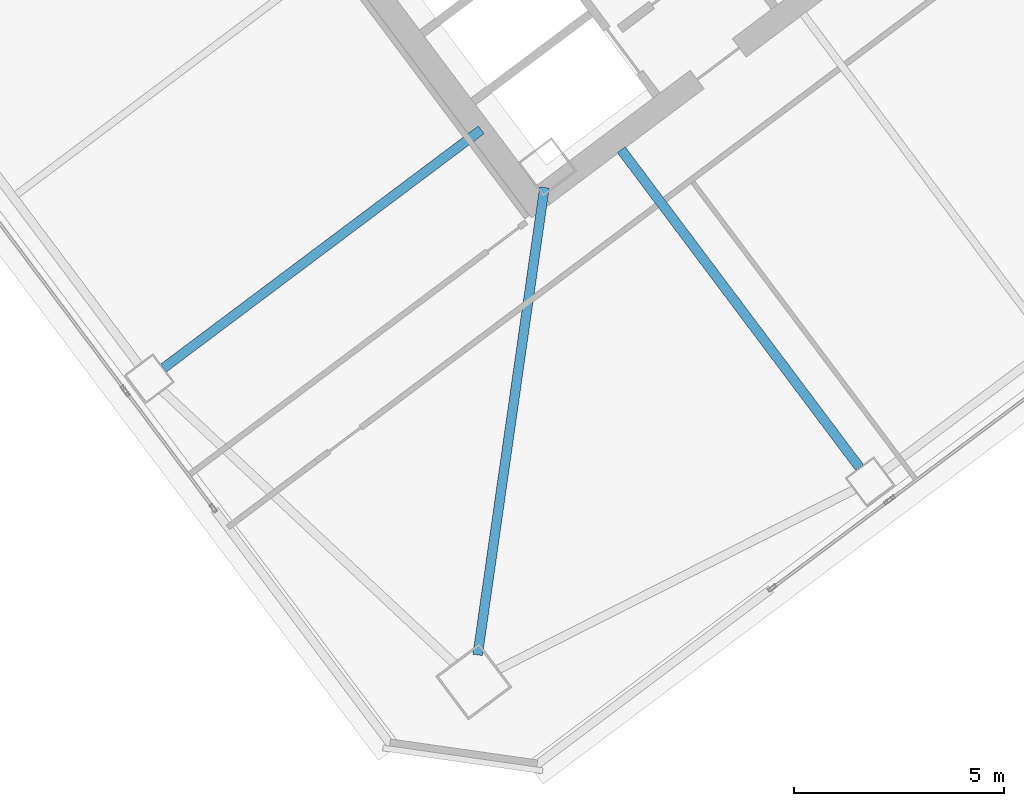
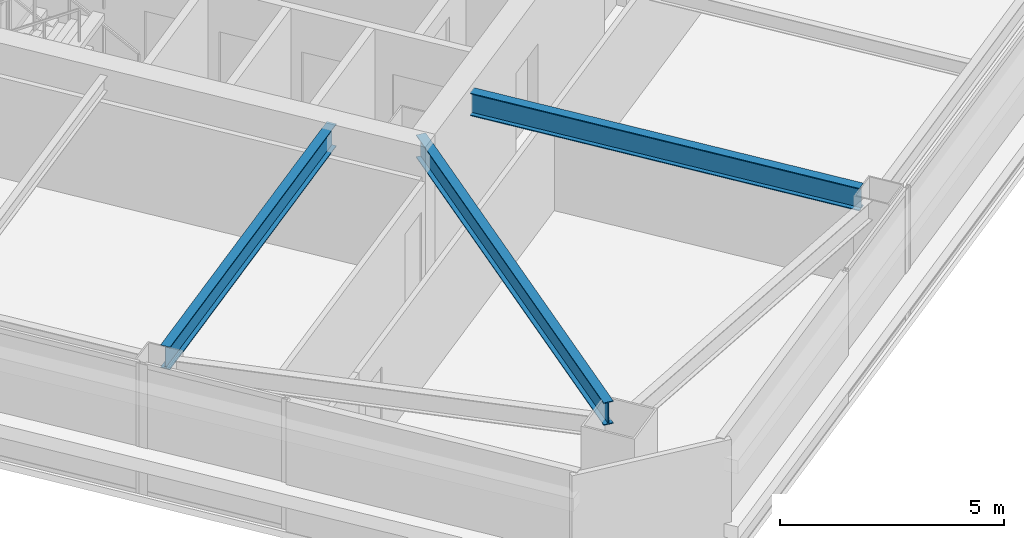
# One storey, part 19 of 41: 3 beams.
"""IFC4 building model written with IfcOpenShell, lengths in metres."""

from ifc_helpers import new_model, si_unit, direction, frame, origin, origin_2d, place, context, subcontext, project, spatial, i_section, extrude, material, material_profile, profile_set, type_object, element, save


model = new_model("IFC4")

# Units and contexts
model_context = context("Model", 3, precision=1e-05, world=origin(), true_north=direction((0.0, 1.0)))
body_context = subcontext(model_context, "Body", "Model", "MODEL_VIEW")
ifc_project = project(units=[si_unit("LENGTHUNIT", "METRE"), si_unit("AREAUNIT", "SQUARE_METRE"), si_unit("VOLUMEUNIT", "CUBIC_METRE"), si_unit("PLANEANGLEUNIT", "RADIAN"), si_unit("MASSUNIT", "GRAM", prefix="KILO")], contexts=[model_context])

# Site, building, storey
site_placement = place(None, origin())
site = spatial("IfcSite", under=ifc_project, at=site_placement, CompositionType="ELEMENT")
building_placement = place(site_placement, origin())
building = spatial("IfcBuilding", under=site, at=building_placement, Name="Tashvorn Skyway Center", CompositionType="ELEMENT")
storey_placement = place(building_placement, frame((0.0, 0.0, 146.35009765625)))
storey = spatial("IfcBuildingStorey", under=building, at=storey_placement, Name="L39", CompositionType="ELEMENT", Elevation=146.35009765625)

# Beams
ifc_material = material(Name="Steel ASTM A992 Grade 50", Category="steel")
ifc_material_profile = material_profile(ifc_material, i_section(OverallWidth=0.22998046875, OverallDepth=0.616943359375, WebThickness=0.01318359375, FlangeThickness=0.022216796875, at=origin_2d()), Name="W24X94")
ifc_profile_set = profile_set([ifc_material_profile], Name="Steel ASTM A992 Grade 50")
beam_type = type_object("IfcBeamType", Name="BM-BEAM-W24X94", PredefinedType="BEAM", material=ifc_profile_set)
beam_placement = place(storey_placement, frame((110.93115234375, 10.5185546875, 3.0615234375), z_axis=(0.141430483583, 0.989948189712, 0.0), x_axis=(-0.989948189712, 0.141430483583, 0.0)))
element("IfcBeam", 1, at=beam_placement, inside=storey, type_object=beam_type, Name="Tower 2 L39 Primary Floor Girder MC-SW", PredefinedType="BEAM", context=body_context, shape_type="SweptSolid", body=[
    extrude(i_section(OverallWidth=0.22998046875, OverallDepth=0.616943359375, WebThickness=0.01318359375, FlangeThickness=0.022216796875, at=origin_2d()), origin(), (0.0, 0.0, 1.0), 11.234375),
])
for number, where, z_axis, x_axis, name in (
    (2, (120.01806640625, 14.97607421875, 3.0615234375), (-0.600020667896, 0.799984498661, 0.0), (-0.799984498661, -0.600020667896, 0.0), "Tower 2 L39 Primary Floor Girder FC-S1"),
    (3, (103.4560546875, 17.342041015625, 3.0615234375), (0.800006200354, 0.599991732772, 0.0), (-0.599991732772, 0.800006200354, 0.0), "Tower 2 L39 Primary Floor Girder FC-W2"),
):
    element("IfcBeam", number, at=place(storey_placement, frame(where, z_axis=z_axis, x_axis=x_axis)), inside=storey, type_object=beam_type, Name=name, PredefinedType="BEAM", context=body_context, shape_type="SweptSolid", body=[
        extrude(i_section(OverallWidth=0.22998046875, OverallDepth=0.616943359375, WebThickness=0.01318359375, FlangeThickness=0.022216796875, at=origin_2d()), origin(), (0.0, 0.0, 1.0), 9.449951171875),
    ])

save(model, "model.ifc")
